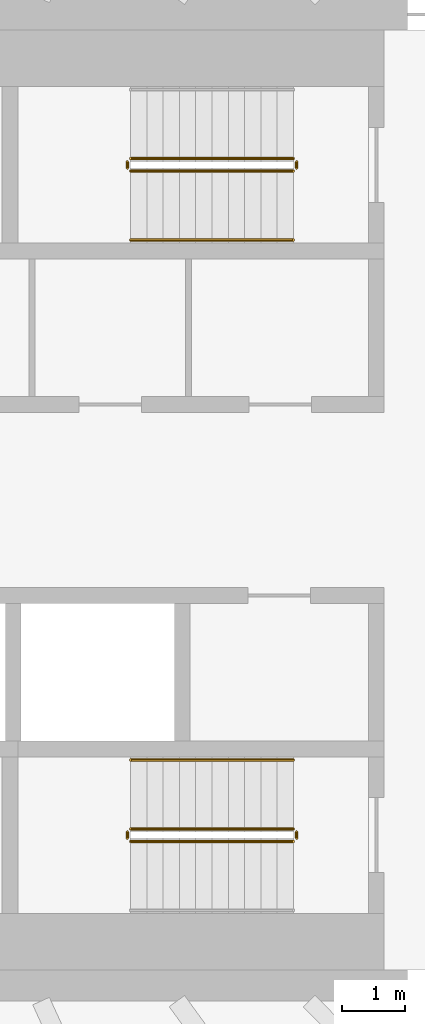
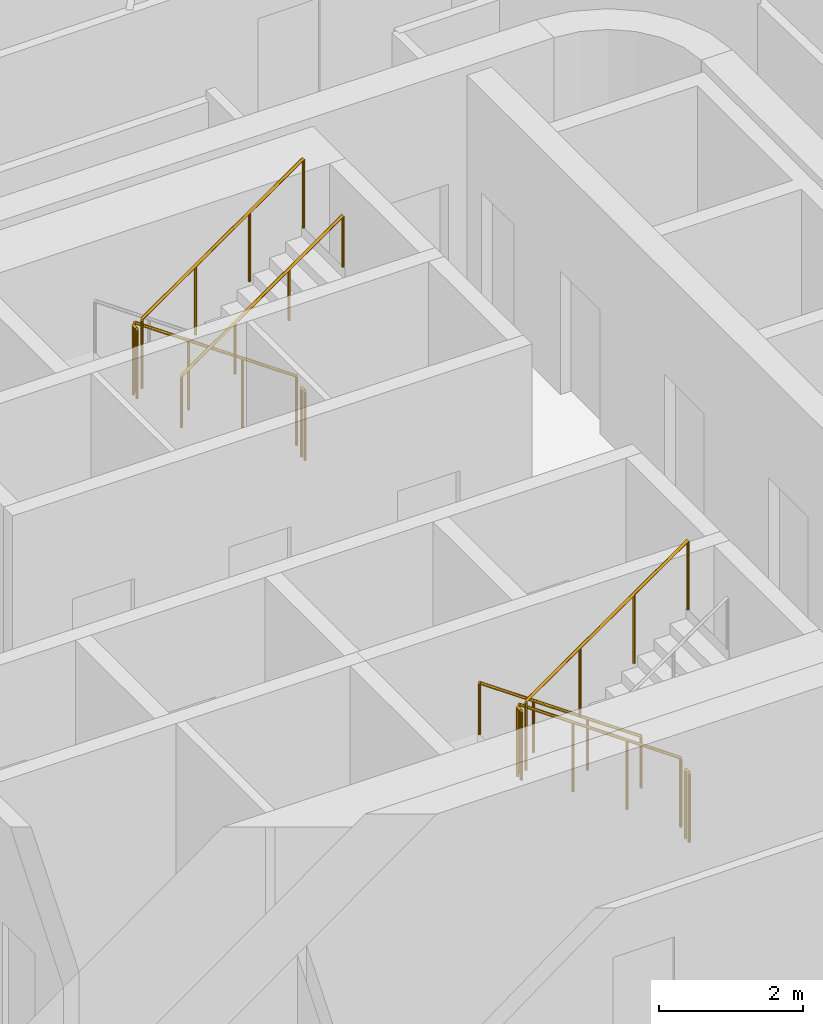
# One storey, part 21 of 23: 10 railings.
"""IFC4 building model written with IfcOpenShell, lengths in metres."""

from ifc_helpers import new_model, si_unit, direction, frame, origin, origin_2d, place, context, subcontext, project, spatial, circle, extrude, material, type_object, element, save


model = new_model("IFC4")

# Units and contexts
model_context = context("Model", 3, precision=1e-05, world=origin(), true_north=direction((0.0, 1.0)))
body_context = subcontext(model_context, "Body", "Model", "MODEL_VIEW")
ifc_project = project(units=[si_unit("LENGTHUNIT", "METRE"), si_unit("AREAUNIT", "SQUARE_METRE"), si_unit("VOLUMEUNIT", "CUBIC_METRE"), si_unit("PLANEANGLEUNIT", "RADIAN"), si_unit("MASSUNIT", "GRAM", prefix="KILO")], contexts=[model_context])

# Site, building, storey
site_placement = place(None, origin())
site = spatial("IfcSite", under=ifc_project, at=site_placement, CompositionType="ELEMENT")
building_placement = place(site_placement, origin())
building = spatial("IfcBuilding", under=site, at=building_placement, Name="Sahrelin Media Tower", CompositionType="ELEMENT")
storey_placement = place(building_placement, frame((0.0, 0.0, 173.60009765625)))
storey = spatial("IfcBuildingStorey", under=building, at=storey_placement, Name="L36", CompositionType="ELEMENT", Elevation=173.60009765625)

# Railings
ifc_material = material(Name="Steel S355", Category="steel")
railing_type_1 = type_object("IfcRailingType", Name="Stair guard 1200", PredefinedType="GUARDRAIL", material=ifc_material)
railing_1_placement = place(storey_placement, frame((7.675048828125, 5.449951171875, 0.181640625)))
element("IfcRailing", 1, at=railing_1_placement, inside=storey, type_object=railing_type_1, Name="L36 ST3 stair guard 1", PredefinedType="GUARDRAIL", context=body_context, shape_type="SweptSolid", body=[
    extrude(circle(Radius=0.02392578125, at=origin_2d()), frame((0.0, 0.0, 1.17578125), z_axis=(-0.819484887739, 0.0, 0.573100792852), x_axis=(0.0, -1.0, 0.0)), (0.0, 0.0, 1.0), 3.1728515625),
    extrude(circle(Radius=0.02099609375, at=origin_2d()), origin(), (0.0, 0.0, 1.0), 1.15185546875),
    extrude(circle(Radius=0.02099609375, at=origin_2d()), frame((-0.86669921875, 0.0, 0.606201171875)), (0.0, 0.0, 1.0), 1.15185546875),
    extrude(circle(Radius=0.02099609375, at=origin_2d()), frame((-1.7333984375, 0.0, 1.212158203125)), (0.0, 0.0, 1.0), 1.15185546875),
    extrude(circle(Radius=0.02099609375, at=origin_2d()), frame((-2.60009765625, 0.0, 1.818359375)), (0.0, 0.0, 1.0), 1.15185546875),
])
railing_2_placement = place(storey_placement, frame((5.02490234375, 5.39990234375, 2.0)))
element("IfcRailing", 2, at=railing_2_placement, inside=storey, type_object=railing_type_1, Name="L36 ST3 stair guard 2", PredefinedType="GUARDRAIL", context=body_context, shape_type="SweptSolid", body=[
    extrude(circle(Radius=0.02392578125, at=origin_2d()), frame((0.0, 0.0, 1.17578125), z_axis=(0.0, -1.0, 0.0), x_axis=(1.0, 0.0, 0.0)), (0.0, 0.0, 1.0), 0.099853515625),
    extrude(circle(Radius=0.02099609375, at=origin_2d()), origin(), (0.0, 0.0, 1.0), 1.15185546875),
    extrude(circle(Radius=0.02099609375, at=origin_2d()), frame((0.0, -0.099853515625, 0.0)), (0.0, 0.0, 1.0), 1.15185546875),
])
railing_3_placement = place(storey_placement, frame((5.074951171875, 5.25, 2.181640625)))
element("IfcRailing", 3, at=railing_3_placement, inside=storey, type_object=railing_type_1, Name="L36 ST3 stair guard 3", PredefinedType="GUARDRAIL", context=body_context, shape_type="SweptSolid", body=[
    extrude(circle(Radius=0.02392578125, at=origin_2d()), frame((0.0, 0.0, 1.17578125), z_axis=(0.819484887739, 0.0, 0.573100792852), x_axis=(0.0, 1.0, 0.0)), (0.0, 0.0, 1.0), 3.1728515625),
    extrude(circle(Radius=0.02099609375, at=origin_2d()), origin(), (0.0, 0.0, 1.0), 1.15185546875),
    extrude(circle(Radius=0.02099609375, at=origin_2d()), frame((0.86669921875, 0.0, 0.606201171875)), (0.0, 0.0, 1.0), 1.15185546875),
    extrude(circle(Radius=0.02099609375, at=origin_2d()), frame((1.7333984375, 0.0, 1.212158203125)), (0.0, 0.0, 1.0), 1.15185546875),
    extrude(circle(Radius=0.02099609375, at=origin_2d()), frame((2.60009765625, 0.0, 1.818359375)), (0.0, 0.0, 1.0), 1.15185546875),
])
railing_4_placement = place(storey_placement, frame((7.72509765625, 5.39990234375, 0.0)))
element("IfcRailing", 4, at=railing_4_placement, inside=storey, type_object=railing_type_1, Name="L36 ST3 stair guard 4", PredefinedType="GUARDRAIL", context=body_context, shape_type="SweptSolid", body=[
    extrude(circle(Radius=0.02392578125, at=origin_2d()), frame((0.0, 0.0, 1.17578125), z_axis=(0.0, -1.0, 0.0), x_axis=(1.0, 0.0, 0.0)), (0.0, 0.0, 1.0), 0.099853515625),
    extrude(circle(Radius=0.02099609375, at=origin_2d()), origin(), (0.0, 0.0, 1.0), 1.15185546875),
    extrude(circle(Radius=0.02099609375, at=origin_2d()), frame((0.0, -0.099853515625, 0.0)), (0.0, 0.0, 1.0), 1.15185546875),
])
railing_5_placement = place(storey_placement, frame((7.675048828125, -5.25, 0.181640625)))
element("IfcRailing", 5, at=railing_5_placement, inside=storey, type_object=railing_type_1, Name="L36 ST2 stair guard 1", PredefinedType="GUARDRAIL", context=body_context, shape_type="SweptSolid", body=[
    extrude(circle(Radius=0.02392578125, at=origin_2d()), frame((0.0, 0.0, 1.17578125), z_axis=(-0.819484887739, 0.0, 0.573100792852), x_axis=(0.0, -1.0, 0.0)), (0.0, 0.0, 1.0), 3.1728515625),
    extrude(circle(Radius=0.02099609375, at=origin_2d()), origin(), (0.0, 0.0, 1.0), 1.15185546875),
    extrude(circle(Radius=0.02099609375, at=origin_2d()), frame((-0.86669921875, 0.0, 0.606201171875)), (0.0, 0.0, 1.0), 1.15185546875),
    extrude(circle(Radius=0.02099609375, at=origin_2d()), frame((-1.7333984375, 0.0, 1.212158203125)), (0.0, 0.0, 1.0), 1.15185546875),
    extrude(circle(Radius=0.02099609375, at=origin_2d()), frame((-2.60009765625, 0.0, 1.818359375)), (0.0, 0.0, 1.0), 1.15185546875),
])
railing_6_placement = place(storey_placement, frame((5.02490234375, -5.300048828125, 2.0)))
element("IfcRailing", 6, at=railing_6_placement, inside=storey, type_object=railing_type_1, Name="L36 ST2 stair guard 2", PredefinedType="GUARDRAIL", context=body_context, shape_type="SweptSolid", body=[
    extrude(circle(Radius=0.02392578125, at=origin_2d()), frame((0.0, 0.0, 1.17578125), z_axis=(0.0, -1.0, 0.0), x_axis=(1.0, 0.0, 0.0)), (0.0, 0.0, 1.0), 0.099853515625),
    extrude(circle(Radius=0.02099609375, at=origin_2d()), origin(), (0.0, 0.0, 1.0), 1.15185546875),
    extrude(circle(Radius=0.02099609375, at=origin_2d()), frame((0.0, -0.099853515625, 0.0)), (0.0, 0.0, 1.0), 1.15185546875),
])
railing_7_placement = place(storey_placement, frame((5.074951171875, -5.449951171875, 2.181640625)))
element("IfcRailing", 7, at=railing_7_placement, inside=storey, type_object=railing_type_1, Name="L36 ST2 stair guard 3", PredefinedType="GUARDRAIL", context=body_context, shape_type="SweptSolid", body=[
    extrude(circle(Radius=0.02392578125, at=origin_2d()), frame((0.0, 0.0, 1.17578125), z_axis=(0.819484887739, 0.0, 0.573100792852), x_axis=(0.0, 1.0, 0.0)), (0.0, 0.0, 1.0), 3.1728515625),
    extrude(circle(Radius=0.02099609375, at=origin_2d()), origin(), (0.0, 0.0, 1.0), 1.15185546875),
    extrude(circle(Radius=0.02099609375, at=origin_2d()), frame((0.86669921875, 0.0, 0.606201171875)), (0.0, 0.0, 1.0), 1.15185546875),
    extrude(circle(Radius=0.02099609375, at=origin_2d()), frame((1.7333984375, 0.0, 1.212158203125)), (0.0, 0.0, 1.0), 1.15185546875),
    extrude(circle(Radius=0.02099609375, at=origin_2d()), frame((2.60009765625, 0.0, 1.818359375)), (0.0, 0.0, 1.0), 1.15185546875),
])
railing_8_placement = place(storey_placement, frame((7.72509765625, -5.300048828125, 0.0)))
element("IfcRailing", 8, at=railing_8_placement, inside=storey, type_object=railing_type_1, Name="L36 ST2 stair guard 4", PredefinedType="GUARDRAIL", context=body_context, shape_type="SweptSolid", body=[
    extrude(circle(Radius=0.02392578125, at=origin_2d()), frame((0.0, 0.0, 1.17578125), z_axis=(0.0, -1.0, 0.0), x_axis=(1.0, 0.0, 0.0)), (0.0, 0.0, 1.0), 0.099853515625),
    extrude(circle(Radius=0.02099609375, at=origin_2d()), origin(), (0.0, 0.0, 1.0), 1.15185546875),
    extrude(circle(Radius=0.02099609375, at=origin_2d()), frame((0.0, -0.099853515625, 0.0)), (0.0, 0.0, 1.0), 1.15185546875),
])
railing_type_2 = type_object("IfcRailingType", Name="Stair handrail 900", PredefinedType="HANDRAIL", material=ifc_material)
railing_9_placement = place(storey_placement, frame((5.074951171875, 4.14990234375, 2.181640625)))
element("IfcRailing", 9, at=railing_9_placement, inside=storey, type_object=railing_type_2, Name="L36 ST3 stair handrail 2", PredefinedType="HANDRAIL", context=body_context, shape_type="SweptSolid", body=[
    extrude(circle(Radius=0.02392578125, at=origin_2d()), frame((0.0, 0.0, 0.8759765625), z_axis=(0.819484887739, 0.0, 0.573100792852), x_axis=(0.0, 1.0, 0.0)), (0.0, 0.0, 1.0), 3.1728515625),
    extrude(circle(Radius=0.02099609375, at=origin_2d()), origin(), (0.0, 0.0, 1.0), 0.851806640625),
    extrude(circle(Radius=0.02099609375, at=origin_2d()), frame((0.86669921875, 0.0, 0.606201171875)), (0.0, 0.0, 1.0), 0.851806640625),
    extrude(circle(Radius=0.02099609375, at=origin_2d()), frame((1.7333984375, 0.0, 1.212158203125)), (0.0, 0.0, 1.0), 0.851806640625),
    extrude(circle(Radius=0.02099609375, at=origin_2d()), frame((2.60009765625, 0.0, 1.818359375)), (0.0, 0.0, 1.0), 0.851806640625),
])
railing_10_placement = place(storey_placement, frame((7.675048828125, -4.14990234375, 0.181640625)))
element("IfcRailing", 10, at=railing_10_placement, inside=storey, type_object=railing_type_2, Name="L36 ST2 stair handrail 1", PredefinedType="HANDRAIL", context=body_context, shape_type="SweptSolid", body=[
    extrude(circle(Radius=0.02392578125, at=origin_2d()), frame((0.0, 0.0, 0.8759765625), z_axis=(-0.819484887739, 0.0, 0.573100792852), x_axis=(0.0, -1.0, 0.0)), (0.0, 0.0, 1.0), 3.1728515625),
    extrude(circle(Radius=0.02099609375, at=origin_2d()), origin(), (0.0, 0.0, 1.0), 0.851806640625),
    extrude(circle(Radius=0.02099609375, at=origin_2d()), frame((-0.86669921875, 0.0, 0.606201171875)), (0.0, 0.0, 1.0), 0.851806640625),
    extrude(circle(Radius=0.02099609375, at=origin_2d()), frame((-1.7333984375, 0.0, 1.212158203125)), (0.0, 0.0, 1.0), 0.851806640625),
    extrude(circle(Radius=0.02099609375, at=origin_2d()), frame((-2.60009765625, 0.0, 1.818359375)), (0.0, 0.0, 1.0), 0.851806640625),
])

save(model, "model.ifc")
